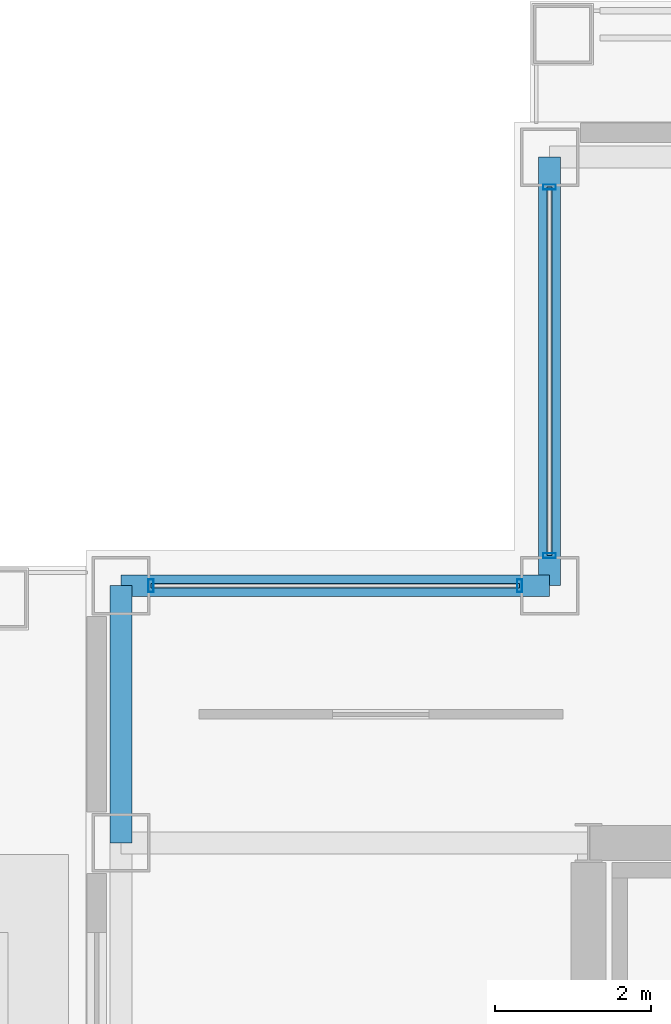
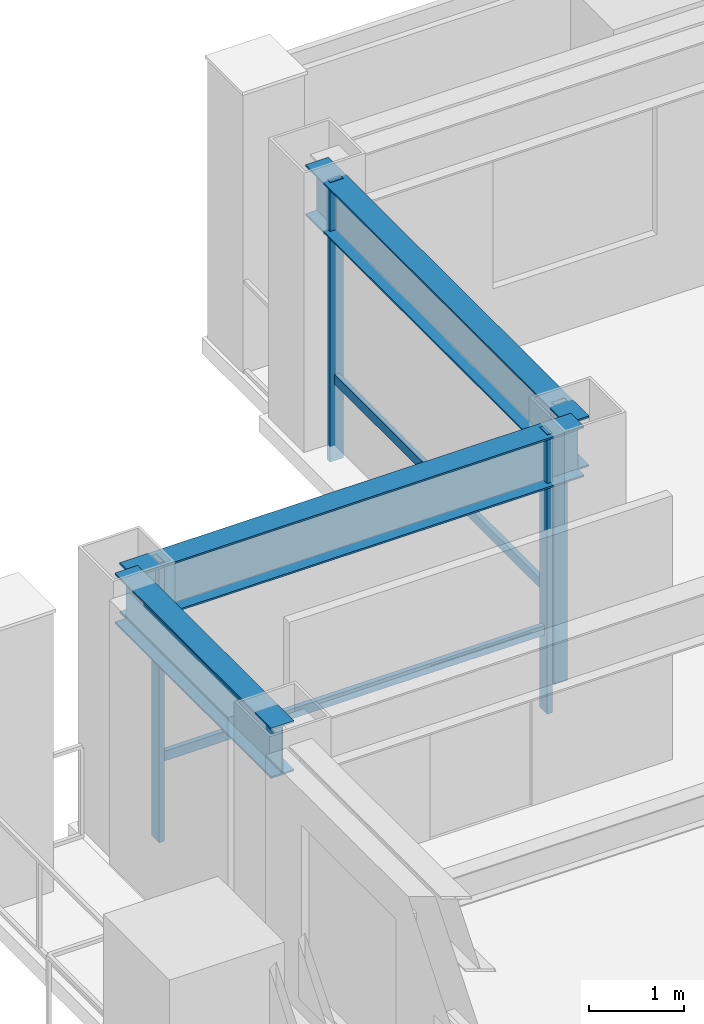
# One storey, part 18 of 30: 6 members, 3 beams, 2 elements without a shape of their own.
"""IFC4 building model written with IfcOpenShell, lengths in metres."""

from ifc_helpers import new_model, si_unit, direction, frame, origin, origin_2d, place, context, subcontext, project, spatial, hollow_rectangle, i_section, extrude, material, layer, layer_set, material_profile, profile_set, type_object, element, aggregate, save


model = new_model("IFC4")

# Units and contexts
model_context = context("Model", 3, precision=1e-05, world=origin(), true_north=direction((0.0, 1.0)))
body_context = subcontext(model_context, "Body", "Model", "MODEL_VIEW")
ifc_project = project(units=[si_unit("LENGTHUNIT", "METRE"), si_unit("AREAUNIT", "SQUARE_METRE"), si_unit("VOLUMEUNIT", "CUBIC_METRE"), si_unit("PLANEANGLEUNIT", "RADIAN"), si_unit("MASSUNIT", "GRAM", prefix="KILO")], contexts=[model_context])

# Site, building, storey
site_placement = place(None, origin())
site = spatial("IfcSite", under=ifc_project, at=site_placement, CompositionType="ELEMENT")
building_placement = place(site_placement, origin())
building = spatial("IfcBuilding", under=site, at=building_placement, Name="Brelmoor Portico Tower", CompositionType="ELEMENT")
storey_placement = place(building_placement, frame((0.0, 0.0, 169.5)))
storey = spatial("IfcBuildingStorey", under=building, at=storey_placement, Name="L44", CompositionType="ELEMENT", Elevation=169.5)

# Beams
ifc_material_1 = material(Name="Steel Q355B", Category="steel")
ifc_material_profile_1 = material_profile(ifc_material_1, i_section(OverallWidth=0.280029296875, OverallDepth=0.64990234375, WebThickness=0.012939453125, FlangeThickness=0.02197265625, at=origin_2d()), Name="HN 650x280x13x22")
ifc_profile_set_1 = profile_set([ifc_material_profile_1], Name="Steel Q355B")
beam_type = type_object("IfcBeamType", Name="BM-SP-650", PredefinedType="SPANDREL", material=ifc_profile_set_1)
beam_1_placement = place(storey_placement, frame((-20.550048828125, 13.050048828125, 3.074951171875), z_axis=(1.0, 0.0, 0.0), x_axis=(0.0, 1.0, 0.0)))
element("IfcBeam", 1, at=beam_1_placement, inside=storey, type_object=beam_type, Name="L44 Perimeter Spandrel Beam SP-06", PredefinedType="SPANDREL", context=body_context, shape_type="SweptSolid", body=[
    extrude(i_section(OverallWidth=0.280029296875, OverallDepth=0.64990234375, WebThickness=0.012939453125, FlangeThickness=0.02197265625, at=origin_2d()), origin(), (0.0, 0.0, 1.0), 5.5),
])
beam_2_placement = place(storey_placement, frame((-20.550048828125, 9.75, 3.074951171875), z_axis=(0.0, 1.0, 0.0), x_axis=(-1.0, 0.0, 0.0)))
element("IfcBeam", 2, at=beam_2_placement, inside=storey, type_object=beam_type, Name="L44 Perimeter Spandrel Beam SP-13", PredefinedType="SPANDREL", context=body_context, shape_type="SweptSolid", body=[
    extrude(i_section(OverallWidth=0.280029296875, OverallDepth=0.64990234375, WebThickness=0.012939453125, FlangeThickness=0.02197265625, at=origin_2d()), origin(), (0.0, 0.0, 1.0), 3.300048828125),
])
beam_3_placement = place(storey_placement, frame((-15.050048828125, 13.050048828125, 3.074951171875), z_axis=(0.0, 1.0, 0.0), x_axis=(-1.0, 0.0, 0.0)))
element("IfcBeam", 3, at=beam_3_placement, inside=storey, type_object=beam_type, Name="L44 Perimeter Spandrel Beam SP-15", PredefinedType="SPANDREL", context=body_context, shape_type="SweptSolid", body=[
    extrude(i_section(OverallWidth=0.280029296875, OverallDepth=0.64990234375, WebThickness=0.012939453125, FlangeThickness=0.02197265625, at=origin_2d()), origin(), (0.0, 0.0, 1.0), 5.5),
])

# Curtain wall, members
ifc_material_2 = material(Name="Anodised Aluminium Alloy 6063-T6", Category="aluminium")
ifc_layer = layer(ifc_material_2, 0.179931640625)
ifc_layer_set = layer_set([ifc_layer], Name="Anodised Aluminium Alloy 6063-T6")
curtain_wall_type = type_object("IfcCurtainWallType", Name="CW-NOTCH-CHAMFER", PredefinedType="NOTDEFINED", material=ifc_layer_set)
curtain_wall_1_placement = place(storey_placement, origin())
curtain_wall_1 = element("IfcCurtainWall", 4, at=curtain_wall_1_placement, inside=storey, type_object=curtain_wall_type, Name="L44 Curtain Wall CWN-L44-NWH", PredefinedType="NOTDEFINED")
ifc_material_profile_2 = material_profile(ifc_material_2, hollow_rectangle(XDim=0.06494140625, YDim=0.1650390625, WallThickness=0.00390625, at=origin_2d()), Name="ALU MULLION 65x165")
ifc_profile_set_2 = profile_set([ifc_material_profile_2], Name="Anodised Aluminium Alloy 6063-T6")
member_type_1 = type_object("IfcMemberType", Name="MB-CW-MULL-165", PredefinedType="MULLION", material=ifc_profile_set_2)
member_1_placement = place(storey_placement, frame((-20.1650390625, 13.050048828125, -0.199951171875), z_axis=(0.0, 0.0, 1.0), x_axis=(1.0, 0.0, 0.0)))
member_1 = element("IfcMember", 5, at=member_1_placement, type_object=member_type_1, Name="CWN-L44-NWH Mullion 00", PredefinedType="MULLION", context=body_context, shape_type="SweptSolid", body=[
    extrude(hollow_rectangle(XDim=0.06494140625, YDim=0.1650390625, WallThickness=0.00390625, at=origin_2d()), origin(), (0.0, 0.0, 1.0), 3.599853515625),
])
member_2_placement = place(storey_placement, frame((-15.43505859375, 13.050048828125, -0.199951171875), z_axis=(0.0, 0.0, 1.0), x_axis=(1.0, 0.0, 0.0)))
member_2 = element("IfcMember", 6, at=member_2_placement, type_object=member_type_1, Name="CWN-L44-NWH Mullion 01", PredefinedType="MULLION", context=body_context, shape_type="SweptSolid", body=[
    extrude(hollow_rectangle(XDim=0.06494140625, YDim=0.1650390625, WallThickness=0.00390625, at=origin_2d()), origin(), (0.0, 0.0, 1.0), 3.599853515625),
])

curtain_wall_2_placement = place(storey_placement, origin())
curtain_wall_2 = element("IfcCurtainWall", 7, at=curtain_wall_2_placement, inside=storey, type_object=curtain_wall_type, Name="L44 Curtain Wall CWN-L44-NWV", PredefinedType="NOTDEFINED")
member_3_placement = place(storey_placement, frame((-15.050048828125, 13.43505859375, -0.199951171875), z_axis=(0.0, 0.0, 1.0), x_axis=(0.0, 1.0, 0.0)))
member_3 = element("IfcMember", 8, at=member_3_placement, type_object=member_type_1, Name="CWN-L44-NWV Mullion 00", PredefinedType="MULLION", context=body_context, shape_type="SweptSolid", body=[
    extrude(hollow_rectangle(XDim=0.06494140625, YDim=0.1650390625, WallThickness=0.00390625, at=origin_2d()), origin(), (0.0, 0.0, 1.0), 3.599853515625),
])
member_4_placement = place(storey_placement, frame((-15.050048828125, 18.1650390625, -0.199951171875), z_axis=(0.0, 0.0, 1.0), x_axis=(0.0, 1.0, 0.0)))
member_4 = element("IfcMember", 9, at=member_4_placement, type_object=member_type_1, Name="CWN-L44-NWV Mullion 01", PredefinedType="MULLION", context=body_context, shape_type="SweptSolid", body=[
    extrude(hollow_rectangle(XDim=0.06494140625, YDim=0.1650390625, WallThickness=0.00390625, at=origin_2d()), origin(), (0.0, 0.0, 1.0), 3.599853515625),
])

# Member
ifc_material_profile_3 = material_profile(ifc_material_2, hollow_rectangle(XDim=0.06005859375, YDim=0.125, WallThickness=0.00341796875, at=origin_2d()), Name="ALU TRANSOM 60x125")
ifc_profile_set_3 = profile_set([ifc_material_profile_3], Name="Anodised Aluminium Alloy 6063-T6")
member_type_2 = type_object("IfcMemberType", Name="MB-CW-TRAN-125", PredefinedType="USERDEFINED", material=ifc_profile_set_3)
member_5_placement = place(storey_placement, frame((-20.1650390625, 13.050048828125, 0.85009765625), z_axis=(1.0, 0.0, 0.0), x_axis=(0.0, 1.0, 0.0)))
member_5 = element("IfcMember", 10, at=member_5_placement, type_object=member_type_2, Name="CWN-L44-NWH Transom 1-00", ObjectType="TRANSOM", PredefinedType="USERDEFINED", context=body_context, shape_type="SweptSolid", body=[
    extrude(hollow_rectangle(XDim=0.06005859375, YDim=0.125, WallThickness=0.00341796875, at=origin_2d()), origin(), (0.0, 0.0, 1.0), 4.72998046875),
])

aggregate(curtain_wall_1, [member_1, member_2, member_5])

member_6_placement = place(storey_placement, frame((-15.050048828125, 13.43505859375, 0.85009765625), z_axis=(0.0, 1.0, 0.0), x_axis=(-1.0, 0.0, 0.0)))
member_6 = element("IfcMember", 11, at=member_6_placement, type_object=member_type_2, Name="CWN-L44-NWV Transom 1-00", ObjectType="TRANSOM", PredefinedType="USERDEFINED", context=body_context, shape_type="SweptSolid", body=[
    extrude(hollow_rectangle(XDim=0.06005859375, YDim=0.125, WallThickness=0.00341796875, at=origin_2d()), origin(), (0.0, 0.0, 1.0), 4.72998046875),
])

aggregate(curtain_wall_2, [member_3, member_4, member_6])

save(model, "model.ifc")
